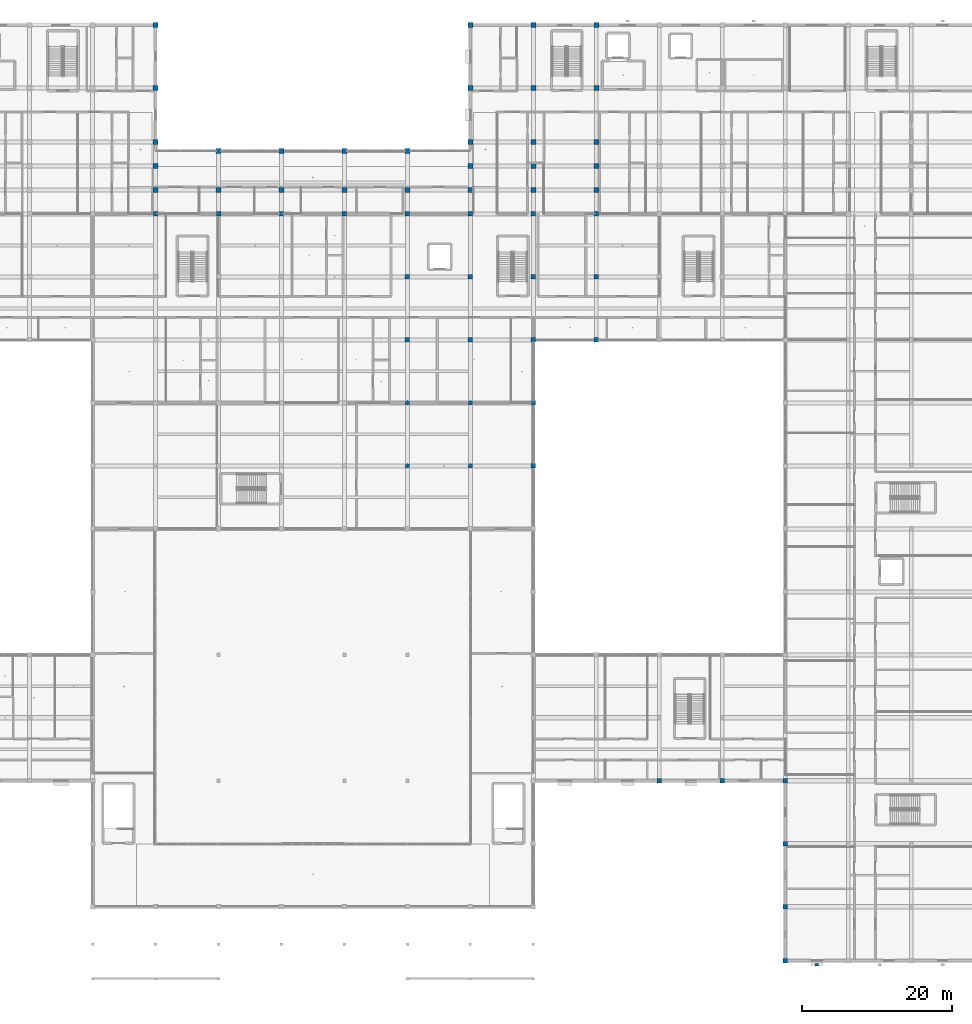
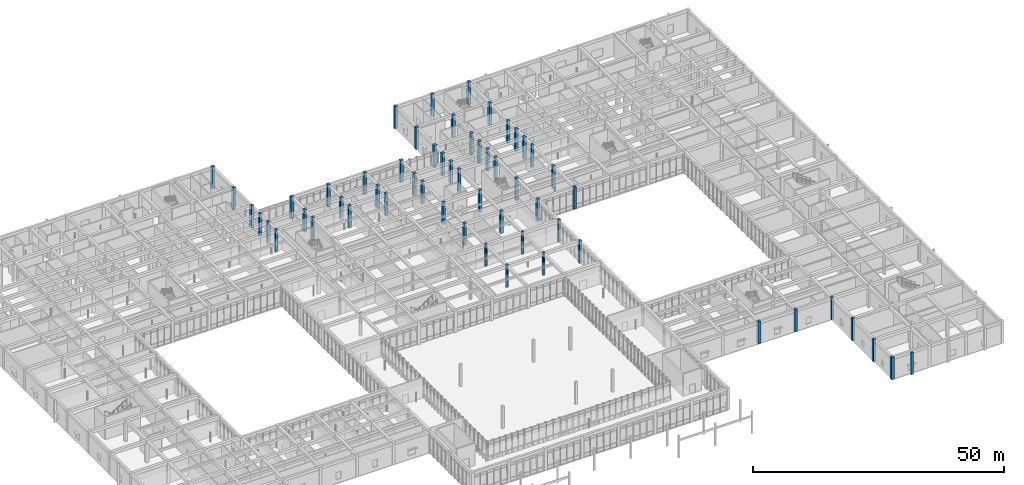
# One storey, part 4 of 157: 57 columns.
"""IFC4 building model written with IfcOpenShell, lengths in metres."""

from ifc_helpers import new_model, si_unit, direction, frame, origin, origin_2d, place, context, subcontext, project, spatial, rectangle, circle, extrude, material, material_profile, profile_set, type_object, element, save


model = new_model("IFC4")

# Units and contexts
model_context = context("Model", 3, precision=1e-05, world=origin(), true_north=direction((0.0, 1.0)))
body_context = subcontext(model_context, "Body", "Model", "MODEL_VIEW")
ifc_project = project(units=[si_unit("LENGTHUNIT", "METRE"), si_unit("AREAUNIT", "SQUARE_METRE"), si_unit("VOLUMEUNIT", "CUBIC_METRE"), si_unit("PLANEANGLEUNIT", "RADIAN"), si_unit("MASSUNIT", "GRAM", prefix="KILO")], contexts=[model_context])

# Site, building, storey
site_placement = place(None, origin())
site = spatial("IfcSite", under=ifc_project, at=site_placement, CompositionType="ELEMENT")
building_placement = place(site_placement, origin())
building = spatial("IfcBuilding", under=site, at=building_placement, Name="Varncliffe General Hospital", CompositionType="ELEMENT")
storey_placement = place(building_placement, frame((0.0, 0.0, 5.39990234375)))
storey = spatial("IfcBuildingStorey", under=building, at=storey_placement, Name="L01", CompositionType="ELEMENT", Elevation=5.39990234375)

# Columns
ifc_material_1 = material(Name="Concrete C40/50 (CSA A23.1 40 MPa)", Category="concrete")
ifc_material_profile_1 = material_profile(ifc_material_1, rectangle(XDim=0.64990234375, YDim=0.64990234375, at=origin_2d()), Name="RC 650x650")
ifc_profile_set_1 = profile_set([ifc_material_profile_1], Name="Concrete C40/50 (CSA A23.1 40 MPa)")
column_type_1 = type_object("IfcColumnType", Name="Column C21 (Ext RC 650x650)", PredefinedType="COLUMN", material=ifc_profile_set_1)
for number, where, z_axis, x_axis, name in (
    (1, (67.199951171875, 109.199951171875, 0.0), (0.0, 0.0, 1.0), (1.0, 0.0, 0.0), "L01 Column C21"),
    (2, (67.199951171875, 116.39990234375, 0.0), (0.0, 0.0, 1.0), (1.0, 0.0, 0.0), "L01 Column C21"),
    (3, (67.199951171875, 124.800048828125, 0.0), (0.0, 0.0, 1.0), (1.0, 0.0, 0.0), "L01 Column C21"),
    (4, (75.60009765625, 108.0, 0.0), (0.0, 0.0, 1.0), (1.0, 0.0, 0.0), "L01 Column C21"),
    (5, (84.0, 108.0, 0.0), (0.0, 0.0, 1.0), (1.0, 0.0, 0.0), "L01 Column C21"),
    (6, (92.39990234375, 108.0, 0.0), (0.0, 0.0, 1.0), (1.0, 0.0, 0.0), "L01 Column C21"),
    (7, (100.800048828125, 108.0, 0.0), (0.0, 0.0, 1.0), (1.0, 0.0, 0.0), "L01 Column C21"),
    (8, (109.199951171875, 109.199951171875, 0.0), (0.0, 0.0, 1.0), (1.0, 0.0, 0.0), "L01 Column C21"),
    (9, (109.199951171875, 116.39990234375, 0.0), (0.0, 0.0, 1.0), (1.0, 0.0, 0.0), "L01 Column C21"),
    (10, (109.199951171875, 124.800048828125, 0.0), (0.0, 0.0, 1.0), (1.0, 0.0, 0.0), "L01 Column C21"),
    (11, (117.60009765625, 124.800048828125, 0.0), (0.0, 0.0, 1.0), (1.0, 0.0, 0.0), "L01 Column C21"),
    (12, (126.0, 124.800048828125, 0.0), (0.0, 0.0, 1.0), (1.0, 0.0, 0.0), "L01 Column C21"),
):
    element("IfcColumn", number, at=place(storey_placement, frame(where, z_axis=z_axis, x_axis=x_axis)), inside=storey, type_object=column_type_1, Name=name, PredefinedType="COLUMN", context=body_context, shape_type="SweptSolid", body=[
        extrude(rectangle(XDim=0.64990234375, YDim=0.64990234375, at=origin_2d()), origin(), (0.0, 0.0, 1.0), 5.400146484375),
    ])
ifc_material_profile_2 = material_profile(ifc_material_1, circle(Radius=0.300048828125, at=origin_2d()), Name="RC D600")
ifc_profile_set_2 = profile_set([ifc_material_profile_2], Name="Concrete C40/50 (CSA A23.1 40 MPa)")
column_type_2 = type_object("IfcColumnType", Name="Column C22 (Int RC D600)", PredefinedType="COLUMN", material=ifc_profile_set_2)
for number, where, z_axis, x_axis, name in (
    (13, (100.800048828125, 66.0, 0.0), (0.0, 0.0, 1.0), (1.0, 0.0, 0.0), "L01 Column C22"),
    (14, (100.800048828125, 74.39990234375, 0.0), (0.0, 0.0, 1.0), (1.0, 0.0, 0.0), "L01 Column C22"),
    (15, (109.199951171875, 66.0, 0.0), (0.0, 0.0, 1.0), (1.0, 0.0, 0.0), "L01 Column C22"),
    (16, (109.199951171875, 74.39990234375, 0.0), (0.0, 0.0, 1.0), (1.0, 0.0, 0.0), "L01 Column C22"),
):
    element("IfcColumn", number, at=place(storey_placement, frame(where, z_axis=z_axis, x_axis=x_axis)), inside=storey, type_object=column_type_2, Name=name, PredefinedType="COLUMN", context=body_context, shape_type="SweptSolid", body=[
        extrude(circle(Radius=0.300048828125, at=origin_2d()), origin(), (0.0, 0.0, 1.0), 5.400146484375),
    ])
ifc_material_profile_3 = material_profile(ifc_material_1, rectangle(XDim=0.60009765625, YDim=0.60009765625, at=origin_2d()), Name="RC 600x600")
ifc_profile_set_3 = profile_set([ifc_material_profile_3], Name="Concrete C40/50 (CSA A23.1 40 MPa)")
column_type_3 = type_object("IfcColumnType", Name="Column C27 (Ext RC 600x600)", PredefinedType="COLUMN", material=ifc_profile_set_3)
for number, where, z_axis, x_axis, name in (
    (17, (117.60009765625, 66.0, 0.0), (0.0, 0.0, 1.0), (1.0, 0.0, 0.0), "L01 Column C27"),
    (18, (117.60009765625, 74.39990234375, 0.0), (0.0, 0.0, 1.0), (1.0, 0.0, 0.0), "L01 Column C27"),
    (19, (117.60009765625, 82.800048828125, 0.0), (0.0, 0.0, 1.0), (1.0, 0.0, 0.0), "L01 Column C27"),
    (20, (126.0, 82.800048828125, 0.0), (0.0, 0.0, 1.0), (1.0, 0.0, 0.0), "L01 Column C27"),
    (21, (134.39990234375, 24.0, 0.0), (0.0, 0.0, 1.0), (1.0, 0.0, 0.0), "L01 Column C27"),
    (22, (142.800048828125, 24.0, 0.0), (0.0, 0.0, 1.0), (1.0, 0.0, 0.0), "L01 Column C27"),
    (23, (151.199951171875, 0.0, 0.0), (0.0, 0.0, 1.0), (1.0, 0.0, 0.0), "L01 Column C27"),
    (24, (151.199951171875, 7.199951171875, 0.0), (0.0, 0.0, 1.0), (1.0, 0.0, 0.0), "L01 Column C27"),
    (25, (151.199951171875, 15.60009765625, 0.0), (0.0, 0.0, 1.0), (1.0, 0.0, 0.0), "L01 Column C27"),
    (26, (151.199951171875, 24.0, 0.0), (0.0, 0.0, 1.0), (1.0, 0.0, 0.0), "L01 Column C27"),
):
    element("IfcColumn", number, at=place(storey_placement, frame(where, z_axis=z_axis, x_axis=x_axis)), inside=storey, type_object=column_type_3, Name=name, PredefinedType="COLUMN", context=body_context, shape_type="SweptSolid", body=[
        extrude(rectangle(XDim=0.60009765625, YDim=0.60009765625, at=origin_2d()), origin(), (0.0, 0.0, 1.0), 5.400146484375),
    ])
ifc_material_profile_4 = material_profile(ifc_material_1, rectangle(XDim=0.64990234375, YDim=0.64990234375, at=origin_2d()), Name="RC 650x650")
ifc_profile_set_4 = profile_set([ifc_material_profile_4], Name="Concrete C40/50 (CSA A23.1 40 MPa)")
column_type_4 = type_object("IfcColumnType", Name="Column C29 (Int RC 650x650)", PredefinedType="COLUMN", material=ifc_profile_set_4)
for number, where, z_axis, x_axis, name in (
    (27, (67.199951171875, 102.800048828125, 0.0), (0.0, 0.0, 1.0), (1.0, 0.0, 0.0), "L01 Column C29"),
    (28, (67.199951171875, 106.0, 0.0), (0.0, 0.0, 1.0), (1.0, 0.0, 0.0), "L01 Column C29"),
    (29, (75.60009765625, 102.800048828125, 0.0), (0.0, 0.0, 1.0), (1.0, 0.0, 0.0), "L01 Column C29"),
    (30, (84.0, 102.800048828125, 0.0), (0.0, 0.0, 1.0), (1.0, 0.0, 0.0), "L01 Column C29"),
    (31, (92.39990234375, 102.800048828125, 0.0), (0.0, 0.0, 1.0), (1.0, 0.0, 0.0), "L01 Column C29"),
    (32, (100.800048828125, 102.800048828125, 0.0), (0.0, 0.0, 1.0), (1.0, 0.0, 0.0), "L01 Column C29"),
    (33, (109.199951171875, 102.800048828125, 0.0), (0.0, 0.0, 1.0), (1.0, 0.0, 0.0), "L01 Column C29"),
    (34, (109.199951171875, 106.0, 0.0), (0.0, 0.0, 1.0), (1.0, 0.0, 0.0), "L01 Column C29"),
    (35, (117.60009765625, 102.800048828125, 0.0), (0.0, 0.0, 1.0), (1.0, 0.0, 0.0), "L01 Column C29"),
    (36, (117.60009765625, 106.0, 0.0), (0.0, 0.0, 1.0), (1.0, 0.0, 0.0), "L01 Column C29"),
    (37, (117.60009765625, 109.199951171875, 0.0), (0.0, 0.0, 1.0), (1.0, 0.0, 0.0), "L01 Column C29"),
    (38, (117.60009765625, 116.39990234375, 0.0), (0.0, 0.0, 1.0), (1.0, 0.0, 0.0), "L01 Column C29"),
    (39, (126.0, 102.800048828125, 0.0), (0.0, 0.0, 1.0), (1.0, 0.0, 0.0), "L01 Column C29"),
    (40, (126.0, 106.0, 0.0), (0.0, 0.0, 1.0), (1.0, 0.0, 0.0), "L01 Column C29"),
    (41, (126.0, 109.199951171875, 0.0), (0.0, 0.0, 1.0), (1.0, 0.0, 0.0), "L01 Column C29"),
    (42, (126.0, 116.39990234375, 0.0), (0.0, 0.0, 1.0), (1.0, 0.0, 0.0), "L01 Column C29"),
):
    element("IfcColumn", number, at=place(storey_placement, frame(where, z_axis=z_axis, x_axis=x_axis)), inside=storey, type_object=column_type_4, Name=name, PredefinedType="COLUMN", context=body_context, shape_type="SweptSolid", body=[
        extrude(rectangle(XDim=0.64990234375, YDim=0.64990234375, at=origin_2d()), origin(), (0.0, 0.0, 1.0), 5.400146484375),
    ])
ifc_material_profile_5 = material_profile(ifc_material_1, rectangle(XDim=0.60009765625, YDim=0.60009765625, at=origin_2d()), Name="RC 600x600")
ifc_profile_set_5 = profile_set([ifc_material_profile_5], Name="Concrete C40/50 (CSA A23.1 40 MPa)")
column_type_5 = type_object("IfcColumnType", Name="Column C82 (Int RC 600x600)", PredefinedType="COLUMN", material=ifc_profile_set_5)
for number, where, z_axis, x_axis, name in (
    (43, (67.199951171875, 99.60009765625, 0.0), (0.0, 0.0, 1.0), (1.0, 0.0, 0.0), "L01 Column C82"),
    (44, (75.60009765625, 99.60009765625, 0.0), (0.0, 0.0, 1.0), (1.0, 0.0, 0.0), "L01 Column C82"),
    (45, (84.0, 99.60009765625, 0.0), (0.0, 0.0, 1.0), (1.0, 0.0, 0.0), "L01 Column C82"),
    (46, (92.39990234375, 99.60009765625, 0.0), (0.0, 0.0, 1.0), (1.0, 0.0, 0.0), "L01 Column C82"),
    (47, (100.800048828125, 82.800048828125, 0.0), (0.0, 0.0, 1.0), (1.0, 0.0, 0.0), "L01 Column C82"),
    (48, (100.800048828125, 91.199951171875, 0.0), (0.0, 0.0, 1.0), (1.0, 0.0, 0.0), "L01 Column C82"),
    (49, (100.800048828125, 99.60009765625, 0.0), (0.0, 0.0, 1.0), (1.0, 0.0, 0.0), "L01 Column C82"),
    (50, (109.199951171875, 82.800048828125, 0.0), (0.0, 0.0, 1.0), (1.0, 0.0, 0.0), "L01 Column C82"),
    (51, (109.199951171875, 91.199951171875, 0.0), (0.0, 0.0, 1.0), (1.0, 0.0, 0.0), "L01 Column C82"),
    (52, (109.199951171875, 99.60009765625, 0.0), (0.0, 0.0, 1.0), (1.0, 0.0, 0.0), "L01 Column C82"),
    (53, (117.60009765625, 91.199951171875, 0.0), (0.0, 0.0, 1.0), (1.0, 0.0, 0.0), "L01 Column C82"),
    (54, (117.60009765625, 99.60009765625, 0.0), (0.0, 0.0, 1.0), (1.0, 0.0, 0.0), "L01 Column C82"),
    (55, (126.0, 91.199951171875, 0.0), (0.0, 0.0, 1.0), (1.0, 0.0, 0.0), "L01 Column C82"),
    (56, (126.0, 99.60009765625, 0.0), (0.0, 0.0, 1.0), (1.0, 0.0, 0.0), "L01 Column C82"),
):
    element("IfcColumn", number, at=place(storey_placement, frame(where, z_axis=z_axis, x_axis=x_axis)), inside=storey, type_object=column_type_5, Name=name, PredefinedType="COLUMN", context=body_context, shape_type="SweptSolid", body=[
        extrude(rectangle(XDim=0.60009765625, YDim=0.60009765625, at=origin_2d()), origin(), (0.0, 0.0, 1.0), 5.400146484375),
    ])
ifc_material_2 = material(Name="Precast concrete C40/50", Category="concrete")
ifc_material_profile_6 = material_profile(ifc_material_2, rectangle(XDim=0.5, YDim=0.320068359375, at=origin_2d()), Name="PIL 500x320")
ifc_profile_set_6 = profile_set([ifc_material_profile_6], Name="Precast concrete C40/50")
column_type_6 = type_object("IfcColumnType", Name="Pilaster PL14 (PIL 500x320)", PredefinedType="PILASTER", material=ifc_profile_set_6)
column_placement = place(storey_placement, frame((155.39990234375, -0.550048828125, 0.0), z_axis=(0.0, 0.0, 1.0), x_axis=(1.0, 0.0, 0.0)))
element("IfcColumn", 57, at=column_placement, inside=storey, type_object=column_type_6, Name="L01 Facade Pilaster PL14-1", PredefinedType="PILASTER", context=body_context, shape_type="SweptSolid", body=[
    extrude(rectangle(XDim=0.5, YDim=0.320068359375, at=origin_2d()), origin(), (0.0, 0.0, 1.0), 5.400146484375),
])

save(model, "model.ifc")
